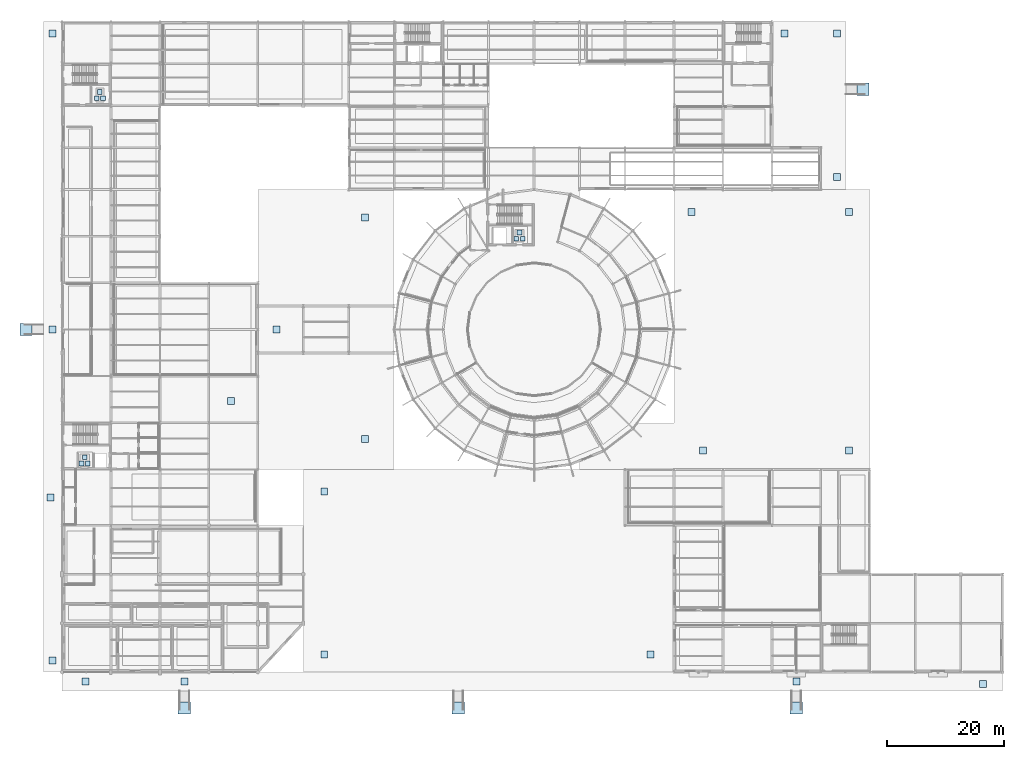
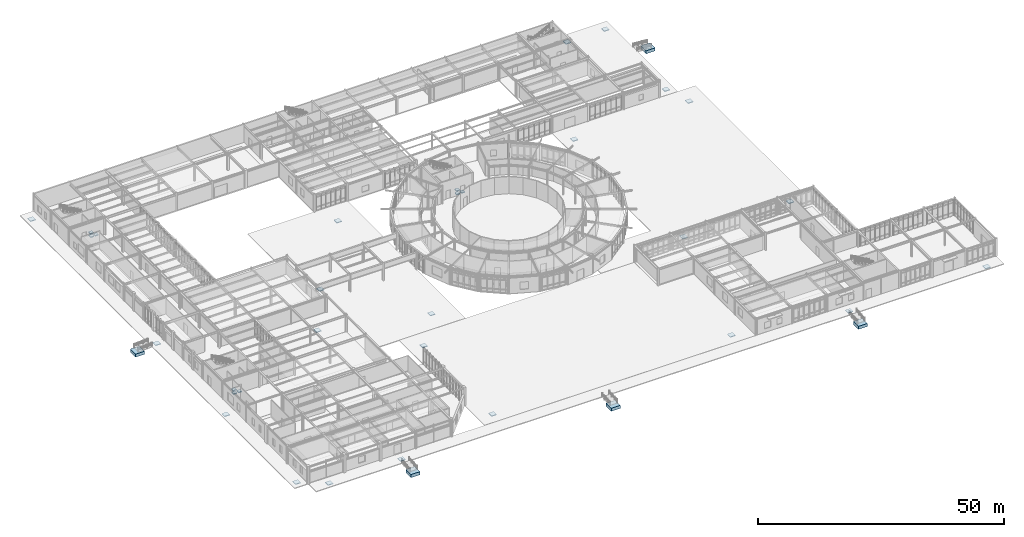
# One storey, part 1 of 101: 36 footings.
"""IFC4 building model written with IfcOpenShell, lengths in metres."""

from ifc_helpers import new_model, si_unit, derived_unit, direction, frame, origin, origin_2d, place, context, subcontext, project, spatial, rectangle, extrude, material, type_object, element, save


model = new_model("IFC4")

# Units and contexts
model_context = context("Model", 3, precision=1e-05, world=origin(), true_north=direction((0.0, 1.0)))
body_context = subcontext(model_context, "Body", "Model", "MODEL_VIEW")
ifc_project = project(units=[si_unit("LENGTHUNIT", "METRE"), si_unit("AREAUNIT", "SQUARE_METRE"), si_unit("VOLUMEUNIT", "CUBIC_METRE"), si_unit("PLANEANGLEUNIT", "RADIAN"), si_unit("MASSUNIT", "GRAM", prefix="KILO"), derived_unit("THERMALTRANSMITTANCEUNIT", [(si_unit("POWERUNIT", "WATT"), 1), (si_unit("AREAUNIT", "SQUARE_METRE"), -1), (si_unit("THERMODYNAMICTEMPERATUREUNIT", "KELVIN"), -1)])], contexts=[model_context])

# Site, building, storey
site_placement = place(None, origin())
site = spatial("IfcSite", under=ifc_project, at=site_placement, CompositionType="ELEMENT")
building_placement = place(site_placement, origin())
building = spatial("IfcBuilding", under=site, at=building_placement, Name="Yasenodar Specialist Clinic", CompositionType="ELEMENT")
storey_placement = place(building_placement, origin())
storey = spatial("IfcBuildingStorey", under=building, at=storey_placement, Name="L00", CompositionType="ELEMENT", Elevation=0.0)

# Footings
ifc_material = material(Name="Concrete C35/45", Category="concrete")
footing_type_1 = type_object("IfcFootingType", Name="PAD-1200", PredefinedType="PAD_FOOTING", material=ifc_material)
for number, where, z_axis, x_axis, name in (
    (1, (3.35009765625, 35.800048828125, -0.4599609375), (0.0, 0.0, 1.0), (1.0, 0.0, 0.0), "LF-05 Lift Pit Sub-Base Pad 001"),
    (2, (4.449951171875, 35.800048828125, -0.4599609375), (0.0, 0.0, 1.0), (1.0, 0.0, 0.0), "LF-05 Lift Pit Sub-Base Pad 002"),
    (3, (3.89990234375, 36.89990234375, -0.4599609375), (0.0, 0.0, 1.0), (1.0, 0.0, 0.0), "LF-05 Lift Pit Sub-Base Pad 003"),
    (4, (5.949951171875, 98.449951171875, -0.4599609375), (0.0, 0.0, 1.0), (1.0, 0.0, 0.0), "LF-03 Lift Pit Sub-Base Pad 004"),
    (5, (7.050048828125, 98.449951171875, -0.4599609375), (0.0, 0.0, 1.0), (1.0, 0.0, 0.0), "LF-03 Lift Pit Sub-Base Pad 005"),
    (6, (6.5, 99.550048828125, -0.4599609375), (0.0, 0.0, 1.0), (1.0, 0.0, 0.0), "LF-03 Lift Pit Sub-Base Pad 006"),
    (7, (77.949951171875, 74.35009765625, -0.4599609375), (0.0, 0.0, 1.0), (1.0, 0.0, 0.0), "LF-07 Lift Pit Sub-Base Pad 007"),
    (8, (79.050048828125, 74.35009765625, -0.4599609375), (0.0, 0.0, 1.0), (1.0, 0.0, 0.0), "LF-07 Lift Pit Sub-Base Pad 008"),
    (9, (78.5, 75.449951171875, -0.4599609375), (0.0, 0.0, 1.0), (1.0, 0.0, 0.0), "LF-07 Lift Pit Sub-Base Pad 009"),
):
    element("IfcFooting", number, at=place(storey_placement, frame(where, z_axis=z_axis, x_axis=x_axis)), inside=storey, type_object=footing_type_1, Name=name, PredefinedType="PAD_FOOTING", context=body_context, shape_type="SweptSolid", body=[
        extrude(rectangle(XDim=0.800048828125, YDim=0.800048828125, at=origin_2d()), origin(), (0.0, 0.0, 1.0), 0.239990234375),
    ])
footing_type_2 = type_object("IfcFootingType", Name="PAD-1400", PredefinedType="PAD_FOOTING", material=ifc_material)
for number, where, z_axis, x_axis, name in (
    (10, (-1.60009765625, 2.0, -0.3701171875), (0.0, 0.0, 1.0), (1.0, 0.0, 0.0), "Grade Apron Bearing Pad 001"),
    (11, (-1.60009765625, 58.800048828125, -0.3701171875), (0.0, 0.0, 1.0), (1.0, 0.0, 0.0), "Grade Apron Bearing Pad 002"),
    (12, (-1.60009765625, 109.60009765625, -0.3701171875), (0.0, 0.0, 1.0), (1.0, 0.0, 0.0), "Grade Apron Bearing Pad 003"),
    (13, (-2.0, 30.0, -0.3701171875), (0.0, 0.0, 1.0), (1.0, 0.0, 0.0), "Grade Apron Bearing Pad 004"),
    (14, (4.0, -1.60009765625, -0.3701171875), (0.0, 0.0, 1.0), (1.0, 0.0, 0.0), "Grade Apron Bearing Pad 005"),
    (15, (21.0, -1.60009765625, -0.3701171875), (0.0, 0.0, 1.0), (1.0, 0.0, 0.0), "Grade Apron Bearing Pad 006"),
    (16, (126.0, -1.60009765625, -0.3701171875), (0.0, 0.0, 1.0), (1.0, 0.0, 0.0), "Grade Apron Bearing Pad 007"),
    (17, (158.0, -2.0, -0.3701171875), (0.0, 0.0, 1.0), (1.0, 0.0, 0.0), "Grade Apron Bearing Pad 008"),
    (18, (29.0, 46.5, -0.3701171875), (0.0, 0.0, 1.0), (1.0, 0.0, 0.0), "Grade Apron Bearing Pad 009"),
    (19, (36.800048828125, 58.800048828125, -0.3701171875), (0.0, 0.0, 1.0), (1.0, 0.0, 0.0), "Grade Apron Bearing Pad 010"),
    (20, (52.0, 40.0, -0.3701171875), (0.0, 0.0, 1.0), (1.0, 0.0, 0.0), "Grade Apron Bearing Pad 011"),
    (21, (52.0, 78.0, -0.3701171875), (0.0, 0.0, 1.0), (1.0, 0.0, 0.0), "Grade Apron Bearing Pad 012"),
    (22, (133.0, 85.0, -0.3701171875), (0.0, 0.0, 1.0), (1.0, 0.0, 0.0), "Grade Apron Bearing Pad 013"),
    (23, (133.0, 109.60009765625, -0.3701171875), (0.0, 0.0, 1.0), (1.0, 0.0, 0.0), "Grade Apron Bearing Pad 014"),
    (24, (124.0, 109.60009765625, -0.3701171875), (0.0, 0.0, 1.0), (1.0, 0.0, 0.0), "Grade Apron Bearing Pad 015"),
    (25, (110.0, 38.0, -0.3701171875), (0.0, 0.0, 1.0), (1.0, 0.0, 0.0), "Grade Apron Bearing Pad 016"),
    (26, (135.0, 38.0, -0.3701171875), (0.0, 0.0, 1.0), (1.0, 0.0, 0.0), "Grade Apron Bearing Pad 017"),
    (27, (135.0, 79.0, -0.3701171875), (0.0, 0.0, 1.0), (1.0, 0.0, 0.0), "Grade Apron Bearing Pad 018"),
    (28, (108.0, 79.0, -0.3701171875), (0.0, 0.0, 1.0), (1.0, 0.0, 0.0), "Grade Apron Bearing Pad 019"),
    (29, (45.0, 3.0, -0.3701171875), (0.0, 0.0, 1.0), (1.0, 0.0, 0.0), "Grade Apron Bearing Pad 020"),
    (30, (101.0, 3.0, -0.3701171875), (0.0, 0.0, 1.0), (1.0, 0.0, 0.0), "Grade Apron Bearing Pad 021"),
    (31, (45.0, 31.0, -0.3701171875), (0.0, 0.0, 1.0), (1.0, 0.0, 0.0), "Grade Apron Bearing Pad 022"),
):
    element("IfcFooting", number, at=place(storey_placement, frame(where, z_axis=z_axis, x_axis=x_axis)), inside=storey, type_object=footing_type_2, Name=name, PredefinedType="PAD_FOOTING", context=body_context, shape_type="SweptSolid", body=[
        extrude(rectangle(XDim=1.199951171875, YDim=1.199951171875, at=origin_2d()), origin(), (0.0, 0.0, 1.0), 0.159912109375),
    ])
footing_type_3 = type_object("IfcFootingType", Name="PAD-2100", PredefinedType="PAD_FOOTING", material=ifc_material)
for number, where, z_axis, x_axis, name in (
    (32, (-6.14990234375, 58.800048828125, -1.1298828125), (0.0, 0.0, 1.0), (1.0, 0.0, 0.0), "West Pishtaq Accessible Approach Ramp Lower Footing"),
    (33, (21.0, -6.14990234375, -1.1298828125), (0.0, 0.0, 1.0), (1.0, 0.0, 0.0), "South Imaging Accessible Approach Ramp Lower Footing"),
    (34, (68.0, -6.14990234375, -1.1298828125), (0.0, 0.0, 1.0), (1.0, 0.0, 0.0), "South Drum Garden Accessible Approach Ramp Lower Footing"),
    (35, (126.0, -6.14990234375, -1.1298828125), (0.0, 0.0, 1.0), (1.0, 0.0, 0.0), "Conservatory Garden Accessible Ramp Lower Footing"),
    (36, (137.449951171875, 100.0, -1.1298828125), (0.0, 0.0, 1.0), (1.0, 0.0, 0.0), "East Healing Garden Accessible Ramp Lower Footing"),
):
    element("IfcFooting", number, at=place(storey_placement, frame(where, z_axis=z_axis, x_axis=x_axis)), inside=storey, type_object=footing_type_3, Name=name, PredefinedType="PAD_FOOTING", context=body_context, shape_type="SweptSolid", body=[
        extrude(rectangle(XDim=2.10009765625, YDim=2.10009765625, at=origin_2d()), origin(), (0.0, 0.0, 1.0), 0.75),
    ])

save(model, "model.ifc")
